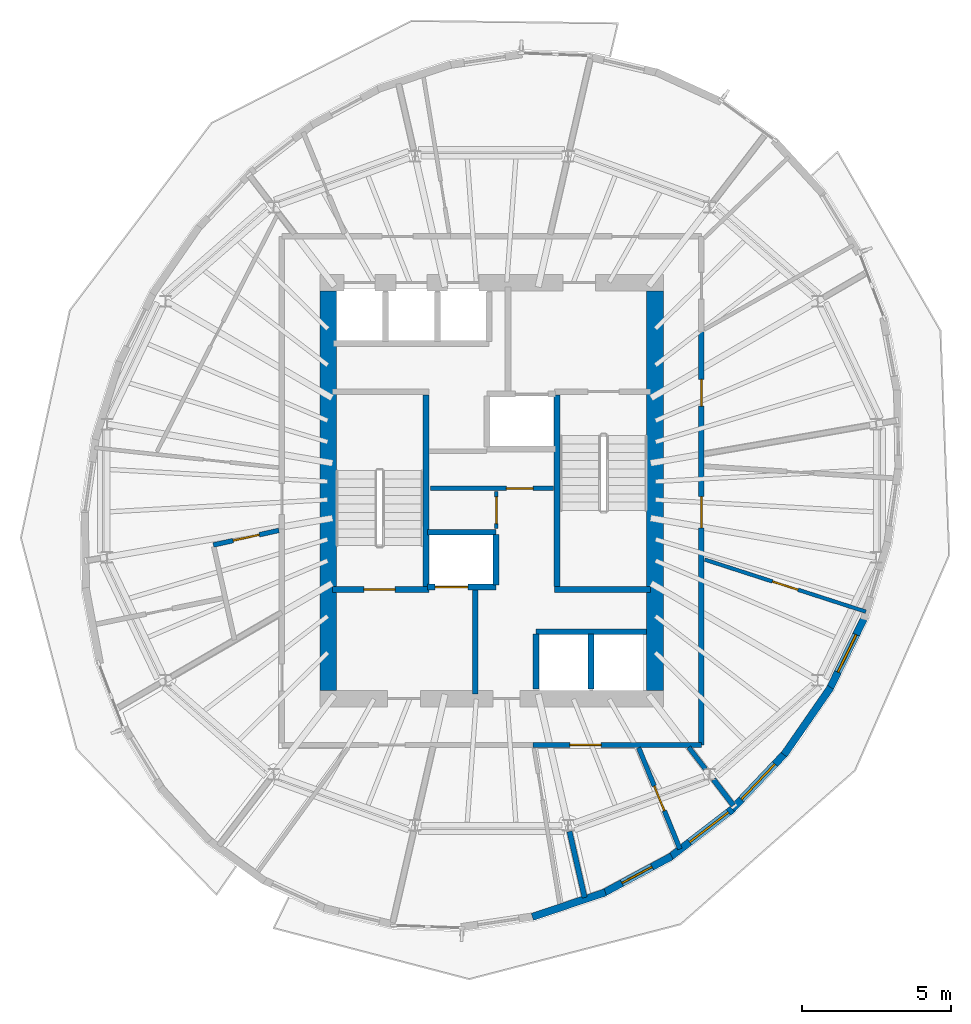
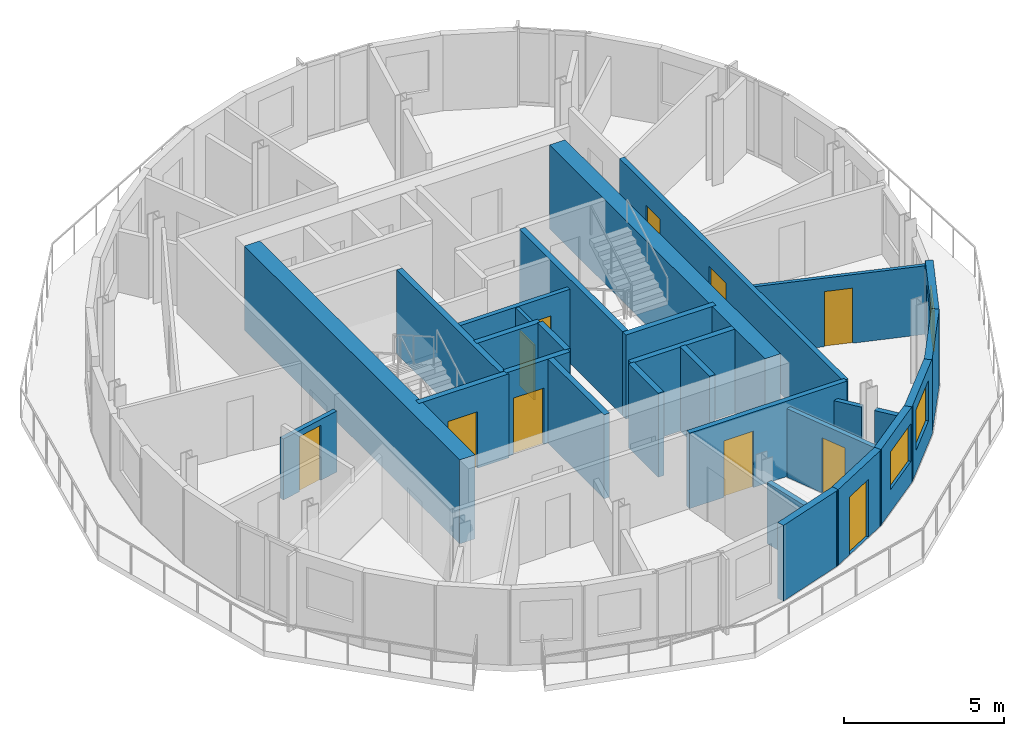
# One storey, part 5 of 11: 29 walls, 11 doors, 3 windows, 14 openings.
"""IFC4 building model written with IfcOpenShell, lengths in metres."""

from ifc_helpers import new_model, si_unit, direction, frame, frame_2d, origin, place, context, subcontext, project, spatial, rectangle, extrude, material, layer, layer_set, type_object, element, fill, save


model = new_model("IFC4")

# Units and contexts
model_context = context("Model", 3, precision=1e-05, world=origin(), true_north=direction((0.0, 1.0)))
body_context = subcontext(model_context, "Body", "Model", "MODEL_VIEW")
ifc_project = project(units=[si_unit("LENGTHUNIT", "METRE"), si_unit("AREAUNIT", "SQUARE_METRE"), si_unit("VOLUMEUNIT", "CUBIC_METRE"), si_unit("PLANEANGLEUNIT", "RADIAN"), si_unit("MASSUNIT", "GRAM", prefix="KILO")], contexts=[model_context])

# Site, building, storey
site_placement = place(None, origin())
site = spatial("IfcSite", under=ifc_project, at=site_placement, CompositionType="ELEMENT")
building_placement = place(site_placement, origin())
building = spatial("IfcBuilding", under=site, at=building_placement, Name="Veldorim Arch Residences", CompositionType="ELEMENT")
storey_placement = place(building_placement, frame((0.0, 0.0, 239.840087890625)))
storey = spatial("IfcBuildingStorey", under=building, at=storey_placement, Name="L72", CompositionType="ELEMENT", Elevation=239.840087890625)

# Wall, opening, door
ifc_material_1 = material(Name="Acoustic Gypsum Board", Category="gypsum")
ifc_layer_1 = layer(ifc_material_1, 0.125, Name="Acoustic Stud Room Partition Wall 125")
ifc_layer_set_1 = layer_set([ifc_layer_1], Name="Acoustic Gypsum Board")
wall_type_1 = type_object("IfcWallType", Name="Acoustic Stud Room Partition Wall 125", PredefinedType="PARTITIONING", material=ifc_layer_set_1)
wall_1_placement = place(storey_placement, frame((32.159912109375, 22.719970703125, 0.0), z_axis=(0.0, 0.0, 1.0), x_axis=(0.0, 1.0, 0.0)))
wall_1 = element("IfcWall", 1, at=wall_1_placement, inside=storey, type_object=wall_type_1, Name="L72 interior wall WL-CA-L72-2", PredefinedType="PARTITIONING", context=body_context, shape_type="SweptSolid", body=[
    extrude(rectangle(XDim=1.25, YDim=0.125, at=frame_2d((0.625, 0.0))), origin(), (0.0, 0.0, 1.0), 2.875),
])
opening_1_placement = place(wall_1_placement, frame((0.169921875, 0.0, 0.0)))
opening_1 = element("IfcOpeningElement", 2, at=opening_1_placement, cuts=wall_1, Name="Opening DR-SVC", PredefinedType="OPENING", context=body_context, shape_type="SweptSolid", body=[
    extrude(rectangle(XDim=0.89990234375, YDim=2.10009765625, at=frame_2d((0.449951171875, 1.050048828125))), frame((0.0, 0.072509765625, 0.0), z_axis=(0.0, -1.0, 0.0), x_axis=(1.0, 0.0, 0.0)), (0.0, 0.0, 1.0), 0.14501953125),
])
ifc_material_2 = material(Name="Fire-Rated Steel", Category="steel")
door_type_1 = type_object("IfcDoorType", Name="Riser, Shelter & Plant Room Rated Steel Door 900x2100", OperationType="SINGLE_SWING_LEFT", PredefinedType="DOOR", material=ifc_material_2)
door_1_placement = place(opening_1_placement, origin())
door_1 = element("IfcDoor", 3, at=door_1_placement, inside=storey, type_object=door_type_1, Name="L72 interior door DR-L72-CA2", OperationType="SINGLE_SWING_RIGHT", OverallHeight=2.10009765625, OverallWidth=0.89990234375, PredefinedType="DOOR", context=body_context, shape_type="SweptSolid", body=[
    extrude(rectangle(XDim=0.89990234375, YDim=2.10009765625, at=frame_2d((0.449951171875, 1.050048828125))), frame((0.0, 0.02490234375, 0.0), z_axis=(0.0, -1.0, 0.0), x_axis=(1.0, 0.0, 0.0)), (0.0, 0.0, 1.0), 0.050048828125),
])
fill(opening_1, door_1)

wall_2_placement = place(storey_placement, frame((44.59765625, 19.926025390625, 0.0), z_axis=(0.0, 0.0, 1.0), x_axis=(-0.951480669713, 0.307708523058, 0.0)))
wall_2 = element("IfcWall", 4, at=wall_2_placement, inside=storey, type_object=wall_type_1, Name="L72 interior wall WL-RES-L72-016", PredefinedType="PARTITIONING", context=body_context, shape_type="SweptSolid", body=[
    extrude(rectangle(XDim=5.699951171875, YDim=0.125, at=frame_2d((2.85009765625, 0.0))), origin(), (0.0, 0.0, 1.0), 2.61181640625),
])
opening_2_placement = place(wall_2_placement, frame((2.39990234375, 0.0, 0.0)))
opening_2 = element("IfcOpeningElement", 5, at=opening_2_placement, cuts=wall_2, Name="Opening DR-INT", PredefinedType="OPENING", context=body_context, shape_type="SweptSolid", body=[
    extrude(rectangle(XDim=0.89990234375, YDim=2.10009765625, at=frame_2d((0.449951171875, 1.050048828125))), frame((0.0, 0.072509765625, 0.0), z_axis=(0.0, -1.0, 0.0), x_axis=(1.0, 0.0, 0.0)), (0.0, 0.0, 1.0), 0.14501953125),
])
ifc_material_3 = material(Name="Engineered Timber", Category="wood")
door_type_2 = type_object("IfcDoorType", Name="Apartment Internal Room Timber Door 900x2100", OperationType="SINGLE_SWING_LEFT", PredefinedType="DOOR", material=ifc_material_3)
door_2_placement = place(opening_2_placement, origin())
door_2 = element("IfcDoor", 6, at=door_2_placement, inside=storey, type_object=door_type_2, Name="L72 interior door DR-RES-L72-008", OperationType="SINGLE_SWING_RIGHT", OverallHeight=2.10009765625, OverallWidth=0.89990234375, PredefinedType="DOOR", context=body_context, shape_type="SweptSolid", body=[
    extrude(rectangle(XDim=0.89990234375, YDim=2.10009765625, at=frame_2d((0.449951171875, 1.050048828125))), frame((0.0, 0.02490234375, 0.0), z_axis=(0.0, -1.0, 0.0), x_axis=(1.0, 0.0, 0.0)), (0.0, 0.0, 1.0), 0.050048828125),
])
fill(opening_2, door_2)

# Walls
ifc_material_4 = material(Name="Lightweight Masonry Block & Gypsum", Category="masonry")
ifc_layer_2 = layer(ifc_material_4, 0.179931640625, Name="Compartment & Corridor Fire-Rated Party Wall 180")
ifc_layer_set_2 = layer_set([ifc_layer_2], Name="Lightweight Masonry Block & Gypsum")
wall_type_2 = type_object("IfcWallType", Name="Compartment & Corridor Fire-Rated Party Wall 180", PredefinedType="PARTITIONING", material=ifc_layer_set_2)
wall_3_placement = place(storey_placement, frame((34.6240234375, 12.526611328125, 0.0), z_axis=(0.0, 0.0, 1.0), x_axis=(0.223007763243, -0.974816668679, 0.0)))
element("IfcWall", 7, at=wall_3_placement, inside=storey, type_object=wall_type_2, Name="L72 interior wall WL-PIER-L72-13", PredefinedType="PARTITIONING", context=body_context, shape_type="SweptSolid", body=[
    extrude(rectangle(XDim=2.282470703125, YDim=0.179931640625, at=frame_2d((1.14111328125, 0.0))), origin(), (0.0, 0.0, 1.0), 2.3232421875),
])
wall_4_placement = place(storey_placement, frame((39.46728515625, 14.280517578125, 0.0), z_axis=(0.0, 0.0, 1.0), x_axis=(0.609209464238, -0.793009349682, 0.0)))
element("IfcWall", 8, at=wall_4_placement, inside=storey, type_object=wall_type_2, Name="L72 interior wall WL-PIER-L72-14", PredefinedType="PARTITIONING", context=body_context, shape_type="SweptSolid", body=[
    extrude(rectangle(XDim=1.1064453125, YDim=0.179931640625, at=frame_2d((0.55322265625, 0.0))), origin(), (0.0, 0.0, 1.0), 2.3232421875),
])

# Wall, opening, door
wall_5_placement = place(storey_placement, frame((39.06005859375, 15.43994140625, 0.0), z_axis=(0.0, 0.0, 1.0), x_axis=(-1.0, 0.0, 0.0)))
wall_5 = element("IfcWall", 9, at=wall_5_placement, inside=storey, type_object=wall_type_2, Name="L72 interior wall WL-RES-L72-003", PredefinedType="PARTITIONING", context=body_context, shape_type="SweptSolid", body=[
    extrude(rectangle(XDim=5.671875, YDim=0.179931640625, at=frame_2d((2.8359375, 0.0))), origin(), (0.0, 0.0, 1.0), 2.875),
])
opening_3_placement = place(wall_5_placement, frame((3.373291015625, 0.0, 0.0)))
opening_3 = element("IfcOpeningElement", 10, at=opening_3_placement, cuts=wall_5, Name="Opening DR-FLT", PredefinedType="OPENING", context=body_context, shape_type="SweptSolid", body=[
    extrude(rectangle(XDim=1.050048828125, YDim=2.14990234375, at=frame_2d((0.52490234375, 1.074951171875))), frame((0.0, 0.099853515625, 0.0), z_axis=(0.0, -1.0, 0.0), x_axis=(1.0, 0.0, 0.0)), (0.0, 0.0, 1.0), 0.199951171875),
])
ifc_material_5 = material(Name="Fire-Rated Timber", Category="wood")
door_type_3 = type_object("IfcDoorType", Name="Apartment Entrance Solid-Core Fire Door 1050x2150", OperationType="SINGLE_SWING_LEFT", PredefinedType="DOOR", material=ifc_material_5)
door_3_placement = place(opening_3_placement, origin())
door_3 = element("IfcDoor", 11, at=door_3_placement, inside=storey, type_object=door_type_3, Name="L72 interior door DR-RES-L72-003", OperationType="SINGLE_SWING_LEFT", OverallHeight=2.14990234375, OverallWidth=1.050048828125, PredefinedType="DOOR", context=body_context, shape_type="SweptSolid", body=[
    extrude(rectangle(XDim=1.050048828125, YDim=2.14990234375, at=frame_2d((0.52490234375, 1.074951171875))), frame((0.0, 0.02490234375, 0.0), z_axis=(0.0, -1.0, 0.0), x_axis=(1.0, 0.0, 0.0)), (0.0, 0.0, 1.0), 0.050048828125),
])
fill(opening_3, door_3)

# Wall, openings, doors
wall_6_placement = place(storey_placement, frame((39.06005859375, 29.390625, 0.0), z_axis=(0.0, 0.0, 1.0), x_axis=(0.0, -1.0, 0.0)))
wall_6 = element("IfcWall", 12, at=wall_6_placement, inside=storey, type_object=wall_type_2, Name="L72 interior wall WL-RES-L72-004", PredefinedType="PARTITIONING", context=body_context, shape_type="SweptSolid", body=[
    extrude(rectangle(XDim=13.95068359375, YDim=0.179931640625, at=frame_2d((6.975341796875, 0.0))), origin(), (0.0, 0.0, 1.0), 2.875),
])
opening_4_placement = place(wall_6_placement, frame((5.593017578125, 0.0, 0.0)))
opening_4 = element("IfcOpeningElement", 13, at=opening_4_placement, cuts=wall_6, Name="Opening DR-FLT", PredefinedType="OPENING", context=body_context, shape_type="SweptSolid", body=[
    extrude(rectangle(XDim=1.050048828125, YDim=2.14990234375, at=frame_2d((0.52490234375, 1.074951171875))), frame((0.0, 0.099853515625, 0.0), z_axis=(0.0, -1.0, 0.0), x_axis=(1.0, 0.0, 0.0)), (0.0, 0.0, 1.0), 0.199951171875),
])
opening_5_placement = place(wall_6_placement, frame((1.644775390625, 0.0, 0.0)))
opening_5 = element("IfcOpeningElement", 14, at=opening_5_placement, cuts=wall_6, Name="Opening DR-INT", PredefinedType="OPENING", context=body_context, shape_type="SweptSolid", body=[
    extrude(rectangle(XDim=0.89990234375, YDim=2.10009765625, at=frame_2d((0.449951171875, 1.050048828125))), frame((0.0, 0.099853515625, 0.0), z_axis=(0.0, -1.0, 0.0), x_axis=(1.0, 0.0, 0.0)), (0.0, 0.0, 1.0), 0.199951171875),
])
door_4_placement = place(opening_4_placement, origin())
door_4 = element("IfcDoor", 15, at=door_4_placement, inside=storey, type_object=door_type_3, Name="L72 interior door DR-RES-L72-006", OperationType="SINGLE_SWING_RIGHT", OverallHeight=2.14990234375, OverallWidth=1.050048828125, PredefinedType="DOOR", context=body_context, shape_type="SweptSolid", body=[
    extrude(rectangle(XDim=1.050048828125, YDim=2.14990234375, at=frame_2d((0.52490234375, 1.074951171875))), frame((0.0, 0.02490234375, 0.0), z_axis=(0.0, -1.0, 0.0), x_axis=(1.0, 0.0, 0.0)), (0.0, 0.0, 1.0), 0.050048828125),
])
fill(opening_4, door_4)
door_5_placement = place(opening_5_placement, origin())
door_5 = element("IfcDoor", 16, at=door_5_placement, inside=storey, type_object=door_type_2, Name="L72 interior door DR-RES-L72-011", OperationType="SINGLE_SWING_LEFT", OverallHeight=2.10009765625, OverallWidth=0.89990234375, PredefinedType="DOOR", context=body_context, shape_type="SweptSolid", body=[
    extrude(rectangle(XDim=0.89990234375, YDim=2.10009765625, at=frame_2d((0.449951171875, 1.050048828125))), frame((0.0, 0.02490234375, 0.0), z_axis=(0.0, -1.0, 0.0), x_axis=(1.0, 0.0, 0.0)), (0.0, 0.0, 1.0), 0.050048828125),
])
fill(opening_5, door_5)

# Wall
ifc_material_6 = material(Name="Concrete C50/60", Category="concrete")
ifc_layer_3 = layer(ifc_material_6, 0.199951171875, Name="Core Stair & Lift Shaft Enclosure Wall 200")
ifc_layer_set_3 = layer_set([ifc_layer_3], Name="Concrete C50/60")
wall_type_3 = type_object("IfcWallType", Name="Core Stair & Lift Shaft Enclosure Wall 200", PredefinedType="SHEAR", material=ifc_layer_set_3)
wall_7_placement = place(storey_placement, frame((29.7900390625, 20.780029296875, 0.0), z_axis=(0.0, 0.0, 1.0), x_axis=(0.0, 1.0, 0.0)))
element("IfcWall", 17, at=wall_7_placement, inside=storey, type_object=wall_type_3, Name="L72 shaft wall WL-SHF-L72-ST1-E", PredefinedType="SHEAR", context=body_context, shape_type="SweptSolid", body=[
    extrude(rectangle(XDim=6.43994140625, YDim=0.199951171875, at=frame_2d((3.219970703125, 0.0))), origin(), (0.0, 0.0, 1.0), 3.199951171875),
])

# Wall, opening, door
wall_8_placement = place(storey_placement, frame((26.64990234375, 20.669921875, 0.0), z_axis=(0.0, 0.0, 1.0), x_axis=(1.0, 0.0, 0.0)))
wall_8 = element("IfcWall", 18, at=wall_8_placement, inside=storey, type_object=wall_type_3, Name="L72 shaft wall WL-SHF-L72-ST1-S", PredefinedType="SHEAR", context=body_context, shape_type="SweptSolid", body=[
    extrude(rectangle(XDim=3.239990234375, YDim=0.199951171875, at=frame_2d((1.6201171875, 0.0))), origin(), (0.0, 0.0, 1.0), 3.199951171875),
])
opening_6_placement = place(wall_8_placement, frame((1.054931640625, 0.0, 0.0)))
opening_6 = element("IfcOpeningElement", 19, at=opening_6_placement, cuts=wall_8, Name="Opening DR-ST", PredefinedType="OPENING", context=body_context, shape_type="SweptSolid", body=[
    extrude(rectangle(XDim=1.050048828125, YDim=2.14990234375, at=frame_2d((0.52490234375, 1.074951171875))), frame((0.0, 0.10986328125, 0.0), z_axis=(0.0, -1.0, 0.0), x_axis=(1.0, 0.0, 0.0)), (0.0, 0.0, 1.0), 0.219970703125),
])
ifc_material_7 = material(Name="Fire-Rated Steel", Category="steel")
door_type_4 = type_object("IfcDoorType", Name="Exit Staircase Self-Closing Fire Door 1050x2150", OperationType="SINGLE_SWING_LEFT", PredefinedType="DOOR", material=ifc_material_7)
door_6_placement = place(opening_6_placement, origin())
door_6 = element("IfcDoor", 20, at=door_6_placement, inside=storey, type_object=door_type_4, Name="L72 interior door DR-L72-ST1", OperationType="SINGLE_SWING_LEFT", OverallHeight=2.14990234375, OverallWidth=1.050048828125, PredefinedType="DOOR", context=body_context, shape_type="SweptSolid", body=[
    extrude(rectangle(XDim=1.050048828125, YDim=2.14990234375, at=frame_2d((0.52490234375, 1.074951171875))), frame((0.0, 0.02490234375, 0.0), z_axis=(0.0, -1.0, 0.0), x_axis=(1.0, 0.0, 0.0)), (0.0, 0.0, 1.0), 0.050048828125),
])
fill(opening_6, door_6)

# Walls
wall_9_placement = place(storey_placement, frame((34.2099609375, 20.780029296875, 0.0), z_axis=(0.0, 0.0, 1.0), x_axis=(0.0, 1.0, 0.0)))
element("IfcWall", 21, at=wall_9_placement, inside=storey, type_object=wall_type_3, Name="L72 shaft wall WL-SHF-L72-ST2-W", PredefinedType="SHEAR", context=body_context, shape_type="SweptSolid", body=[
    extrude(rectangle(XDim=6.43994140625, YDim=0.199951171875, at=frame_2d((3.219970703125, 0.0))), origin(), (0.0, 0.0, 1.0), 3.199951171875),
])
wall_10_placement = place(storey_placement, frame((34.110107421875, 20.669921875, 0.0), z_axis=(0.0, 0.0, 1.0), x_axis=(1.0, 0.0, 0.0)))
element("IfcWall", 22, at=wall_10_placement, inside=storey, type_object=wall_type_3, Name="L72 shaft wall WL-SHF-L72-ST2-S", PredefinedType="SHEAR", context=body_context, shape_type="SweptSolid", body=[
    extrude(rectangle(XDim=3.239990234375, YDim=0.199951171875, at=frame_2d((1.6201171875, 0.0))), origin(), (0.0, 0.0, 1.0), 3.199951171875),
])
wall_11_placement = place(storey_placement, frame((31.449951171875, 17.14990234375, 0.0), z_axis=(0.0, 0.0, 1.0), x_axis=(0.0, 1.0, 0.0)))
element("IfcWall", 23, at=wall_11_placement, inside=storey, type_object=wall_type_3, Name="L72 shaft wall WL-FFL1-L72-E", PredefinedType="SHEAR", context=body_context, shape_type="SweptSolid", body=[
    extrude(rectangle(XDim=3.5, YDim=0.199951171875, at=frame_2d((1.75, 0.0))), origin(), (0.0, 0.0, 1.0), 3.199951171875),
])

# Wall, opening, door
wall_12_placement = place(storey_placement, frame((29.85009765625, 20.75, 0.0), z_axis=(0.0, 0.0, 1.0), x_axis=(1.0, 0.0, 0.0)))
wall_12 = element("IfcWall", 24, at=wall_12_placement, inside=storey, type_object=wall_type_3, Name="L72 shaft wall WL-FL01-L72-S", PredefinedType="SHEAR", context=body_context, shape_type="SweptSolid", body=[
    extrude(rectangle(XDim=2.2998046875, YDim=0.199951171875, at=frame_2d((1.14990234375, 0.0))), origin(), (0.0, 0.0, 1.0), 3.199951171875),
])
opening_7_placement = place(wall_12_placement, frame((0.25, 0.0, 0.0)))
opening_7 = element("IfcOpeningElement", 25, at=opening_7_placement, cuts=wall_12, Name="Opening LD-FF", PredefinedType="OPENING", context=body_context, shape_type="SweptSolid", body=[
    extrude(rectangle(XDim=1.10009765625, YDim=2.14990234375, at=frame_2d((0.550048828125, 1.074951171875))), frame((0.0, 0.10986328125, 0.0), z_axis=(0.0, -1.0, 0.0), x_axis=(1.0, 0.0, 0.0)), (0.0, 0.0, 1.0), 0.219970703125),
])
ifc_material_8 = material(Name="Stainless Steel", Category="steel")
door_type_5 = type_object("IfcDoorType", Name="Firefighting Lift Bi-Parting Sliding Landing Door 1100x2150", OperationType="DOUBLE_DOOR_SLIDING", PredefinedType="DOOR", material=ifc_material_8)
door_7_placement = place(opening_7_placement, origin())
door_7 = element("IfcDoor", 26, at=door_7_placement, inside=storey, type_object=door_type_5, Name="L72 lift landing door LD-L72-FL01", OperationType="DOUBLE_DOOR_SLIDING", OverallHeight=2.14990234375, OverallWidth=1.10009765625, PredefinedType="DOOR", context=body_context, shape_type="SweptSolid", body=[
    extrude(rectangle(XDim=1.10009765625, YDim=2.14990234375, at=frame_2d((0.550048828125, 1.074951171875))), frame((0.0, 0.02490234375, 0.0), z_axis=(0.0, -1.0, 0.0), x_axis=(1.0, 0.0, 0.0)), (0.0, 0.0, 1.0), 0.050048828125),
])
fill(opening_7, door_7)

# Walls
wall_13_placement = place(storey_placement, frame((29.85009765625, 22.60009765625, 0.0), z_axis=(0.0, 0.0, 1.0), x_axis=(1.0, 0.0, 0.0)))
element("IfcWall", 27, at=wall_13_placement, inside=storey, type_object=wall_type_3, Name="L72 shaft wall WL-FL01-L72-N", PredefinedType="SHEAR", context=body_context, shape_type="SweptSolid", body=[
    extrude(rectangle(XDim=2.2998046875, YDim=0.199951171875, at=frame_2d((1.14990234375, 0.0))), origin(), (0.0, 0.0, 1.0), 3.199951171875),
])
wall_14_placement = place(storey_placement, frame((32.14990234375, 20.820068359375, 0.0), z_axis=(0.0, 0.0, 1.0), x_axis=(0.0, 1.0, 0.0)))
element("IfcWall", 28, at=wall_14_placement, inside=storey, type_object=wall_type_3, Name="L72 shaft wall WL-FL01-L72-E", PredefinedType="SHEAR", context=body_context, shape_type="SweptSolid", body=[
    extrude(rectangle(XDim=1.7099609375, YDim=0.199951171875, at=frame_2d((0.85498046875, 0.0))), origin(), (0.0, 0.0, 1.0), 3.199951171875),
])
wall_15_placement = place(storey_placement, frame((33.5, 19.25, 0.0), z_axis=(0.0, 0.0, 1.0), x_axis=(1.0, 0.0, 0.0)))
element("IfcWall", 29, at=wall_15_placement, inside=storey, type_object=wall_type_3, Name="L72 shaft wall WL-OL-L72-N", PredefinedType="SHEAR", context=body_context, shape_type="SweptSolid", body=[
    extrude(rectangle(XDim=3.719970703125, YDim=0.199951171875, at=frame_2d((1.85986328125, 0.0))), origin(), (0.0, 0.0, 1.0), 3.199951171875),
])
for number, where, z_axis, x_axis, name in (
    (30, (33.5, 17.320068359375, 0.0), (0.0, 0.0, 1.0), (0.0, 1.0, 0.0), "L72 shaft wall WL-OL-L72-W"),
    (31, (35.35009765625, 17.320068359375, 0.0), (0.0, 0.0, 1.0), (0.0, 1.0, 0.0), "L72 shaft wall WL-OL-L72-D1"),
):
    element("IfcWall", number, at=place(storey_placement, frame(where, z_axis=z_axis, x_axis=x_axis)), inside=storey, type_object=wall_type_3, Name=name, PredefinedType="SHEAR", context=body_context, shape_type="SweptSolid", body=[
        extrude(rectangle(XDim=1.85986328125, YDim=0.199951171875, at=frame_2d((0.929931640625, 0.0))), origin(), (0.0, 0.0, 1.0), 3.199951171875),
    ])
ifc_material_9 = material(Name="Precast concrete C40/50", Category="concrete")
ifc_layer_4 = layer(ifc_material_9, 0.25, Name="Tower Terracotta Spandrel & Pier Wall 250")
ifc_layer_set_4 = layer_set([ifc_layer_4], Name="Precast concrete C40/50")
wall_type_4 = type_object("IfcWallType", Name="Tower Terracotta Spandrel & Pier Wall 250", PredefinedType="SOLIDWALL", material=ifc_layer_set_4)
wall_16_placement = place(storey_placement, frame((35.829833984375, 10.478515625, 0.0), z_axis=(0.0, 0.0, 1.0), x_axis=(-0.947566090698, -0.319559859431, 0.0)))
element("IfcWall", 32, at=wall_16_placement, inside=storey, type_object=wall_type_4, Name="L72 terracotta facade wall 23", PredefinedType="SOLIDWALL", context=body_context, shape_type="SweptSolid", body=[
    extrude(rectangle(XDim=2.59228515625, YDim=0.25, at=frame_2d((1.296142578125, 0.0))), origin(), (0.0, 0.0, 1.0), 2.8798828125),
])

# Wall, opening, door
wall_17_placement = place(storey_placement, frame((38.062255859375, 11.69140625, 0.0), z_axis=(0.0, 0.0, 1.0), x_axis=(-0.880420823352, -0.47419318195, 0.0)))
wall_17 = element("IfcWall", 33, at=wall_17_placement, inside=storey, type_object=wall_type_4, Name="L72 terracotta facade wall 24", PredefinedType="SOLIDWALL", context=body_context, shape_type="SweptSolid", body=[
    extrude(rectangle(XDim=2.65087890625, YDim=0.25, at=frame_2d((1.325439453125, 0.0))), origin(), (0.0, 0.0, 1.0), 2.8798828125),
])
opening_8_placement = place(wall_17_placement, frame((0.7509765625, 0.0, 0.0)))
opening_8 = element("IfcOpeningElement", 34, at=opening_8_placement, cuts=wall_17, Name="Opening BL-DR", PredefinedType="OPENING", context=body_context, shape_type="SweptSolid", body=[
    extrude(rectangle(XDim=1.14990234375, YDim=2.199951171875, at=frame_2d((0.574951171875, 1.10009765625))), frame((0.0, 0.135009765625, 0.0), z_axis=(0.0, -1.0, 0.0), x_axis=(1.0, 0.0, 0.0)), (0.0, 0.0, 1.0), 0.27001953125),
])
ifc_material_10 = material(Name="Aluminium & Low-E Glass", Category="aluminium")
door_type_6 = type_object("IfcDoorType", Name="Glazed Planted Balcony Door 1150x2200", OperationType="SINGLE_SWING_LEFT", PredefinedType="DOOR", material=ifc_material_10)
door_8_placement = place(opening_8_placement, origin())
door_8 = element("IfcDoor", 35, at=door_8_placement, inside=storey, type_object=door_type_6, Name="L72 glazed outdoor terrace door BALC-2", OperationType="SINGLE_SWING_RIGHT", OverallHeight=2.199951171875, OverallWidth=1.14990234375, PredefinedType="DOOR", context=body_context, shape_type="SweptSolid", body=[
    extrude(rectangle(XDim=1.14990234375, YDim=2.199951171875, at=frame_2d((0.574951171875, 1.10009765625))), frame((0.0, 0.02490234375, 0.0), z_axis=(0.0, -1.0, 0.0), x_axis=(1.0, 0.0, 0.0)), (0.0, 0.0, 1.0), 0.050048828125),
])
fill(opening_8, door_8)

# Wall, opening, window
wall_18_placement = place(storey_placement, frame((40.111328125, 13.279052734375, 0.0), z_axis=(0.0, 0.0, 1.0), x_axis=(-0.792543354822, -0.609815571076, 0.0)))
wall_18 = element("IfcWall", 36, at=wall_18_placement, inside=storey, type_object=wall_type_4, Name="L72 terracotta facade wall 25", PredefinedType="SOLIDWALL", context=body_context, shape_type="SweptSolid", body=[
    extrude(rectangle(XDim=2.70166015625, YDim=0.25, at=frame_2d((1.350830078125, 0.0))), origin(), (0.0, 0.0, 1.0), 2.8798828125),
])
opening_9_placement = place(wall_18_placement, frame((0.175048828125, 0.0, 0.85009765625)))
opening_9 = element("IfcOpeningElement", 37, at=opening_9_placement, cuts=wall_18, Name="Opening WN-03", PredefinedType="OPENING", context=body_context, shape_type="SweptSolid", body=[
    extrude(rectangle(XDim=1.64990234375, YDim=1.43994140625, at=frame_2d((0.824951171875, 0.719970703125))), frame((0.0, 0.135009765625, 0.0), z_axis=(0.0, -1.0, 0.0), x_axis=(1.0, 0.0, 0.0)), (0.0, 0.0, 1.0), 0.27001953125),
])
ifc_material_11 = material(Name="Laminated Low-E Glass", Category="glass")
window_type_1 = type_object("IfcWindowType", Name="Residential Wide Window 1650x1550", PartitioningType="SINGLE_PANEL", PredefinedType="WINDOW", material=ifc_material_11)
window_1_placement = place(opening_9_placement, origin())
window_1 = element("IfcWindow", 38, at=window_1_placement, inside=storey, type_object=window_type_1, Name="L72 solar-control facade window 25", OverallHeight=1.43994140625, OverallWidth=1.64990234375, PartitioningType="SINGLE_PANEL", PredefinedType="WINDOW", context=body_context, shape_type="SweptSolid", body=[
    extrude(rectangle(XDim=1.64990234375, YDim=1.43994140625, at=frame_2d((0.824951171875, 0.719970703125))), frame((0.0, 0.030029296875, 0.0), z_axis=(0.0, -1.0, 0.0), x_axis=(1.0, 0.0, 0.0)), (0.0, 0.0, 1.0), 0.06005859375),
])
fill(opening_9, window_1)

wall_19_placement = place(storey_placement, frame((41.91455078125, 15.193115234375, 0.0), z_axis=(0.0, 0.0, 1.0), x_axis=(-0.688046261031, -0.725666826223, 0.0)))
wall_19 = element("IfcWall", 39, at=wall_19_placement, inside=storey, type_object=wall_type_4, Name="L72 terracotta facade wall 26", PredefinedType="SOLIDWALL", context=body_context, shape_type="SweptSolid", body=[
    extrude(rectangle(XDim=2.738525390625, YDim=0.25, at=frame_2d((1.369140625, 0.0))), origin(), (0.0, 0.0, 1.0), 2.8798828125),
])
opening_10_placement = place(wall_19_placement, frame((0.5439453125, 0.0, 0.85009765625)))
opening_10 = element("IfcOpeningElement", 40, at=opening_10_placement, cuts=wall_19, Name="Opening WN-03", PredefinedType="OPENING", context=body_context, shape_type="SweptSolid", body=[
    extrude(rectangle(XDim=1.64990234375, YDim=1.550048828125, at=frame_2d((0.824951171875, 0.77490234375))), frame((0.0, 0.135009765625, 0.0), z_axis=(0.0, -1.0, 0.0), x_axis=(1.0, 0.0, 0.0)), (0.0, 0.0, 1.0), 0.27001953125),
])
window_2_placement = place(opening_10_placement, origin())
window_2 = element("IfcWindow", 41, at=window_2_placement, inside=storey, type_object=window_type_1, Name="L72 solar-control facade window 26", OverallHeight=1.550048828125, OverallWidth=1.64990234375, PartitioningType="SINGLE_PANEL", PredefinedType="WINDOW", context=body_context, shape_type="SweptSolid", body=[
    extrude(rectangle(XDim=1.64990234375, YDim=1.550048828125, at=frame_2d((0.824951171875, 0.77490234375))), frame((0.0, 0.030029296875, 0.0), z_axis=(0.0, -1.0, 0.0), x_axis=(1.0, 0.0, 0.0)), (0.0, 0.0, 1.0), 0.06005859375),
])
fill(opening_10, window_2)

# Wall
wall_20_placement = place(storey_placement, frame((43.416259765625, 17.3759765625, 0.0), z_axis=(0.0, 0.0, 1.0), x_axis=(-0.569421689582, -0.822045582333, 0.0)))
element("IfcWall", 42, at=wall_20_placement, inside=storey, type_object=wall_type_4, Name="L72 terracotta facade wall 27", PredefinedType="SOLIDWALL", context=body_context, shape_type="SweptSolid", body=[
    extrude(rectangle(XDim=2.758056640625, YDim=0.25, at=frame_2d((1.37890625, 0.0))), origin(), (0.0, 0.0, 1.0), 2.8798828125),
])

# Wall, opening, window
wall_21_placement = place(storey_placement, frame((44.57080078125, 19.7607421875, 0.0), z_axis=(0.0, 0.0, 1.0), x_axis=(-0.438517804861, -0.898722501565, 0.0)))
wall_21 = element("IfcWall", 43, at=wall_21_placement, inside=storey, type_object=wall_type_4, Name="L72 terracotta facade wall 28", PredefinedType="SOLIDWALL", context=body_context, shape_type="SweptSolid", body=[
    extrude(rectangle(XDim=2.758056640625, YDim=0.25, at=frame_2d((1.37890625, 0.0))), origin(), (0.0, 0.0, 1.0), 2.8798828125),
])
opening_11_placement = place(wall_21_placement, frame((0.678955078125, 0.0, 0.85009765625)))
opening_11 = element("IfcOpeningElement", 44, at=opening_11_placement, cuts=wall_21, Name="Opening WN-02", PredefinedType="OPENING", context=body_context, shape_type="SweptSolid", body=[
    extrude(rectangle(XDim=1.39990234375, YDim=1.550048828125, at=frame_2d((0.699951171875, 0.77490234375))), frame((0.0, 0.135009765625, 0.0), z_axis=(0.0, -1.0, 0.0), x_axis=(1.0, 0.0, 0.0)), (0.0, 0.0, 1.0), 0.27001953125),
])
ifc_material_12 = material(Name="Laminated Low-E Glass", Category="glass")
window_type_2 = type_object("IfcWindowType", Name="Residential Casement Window 1400x1550", PartitioningType="SINGLE_PANEL", PredefinedType="WINDOW", material=ifc_material_12)
window_3_placement = place(opening_11_placement, origin())
window_3 = element("IfcWindow", 45, at=window_3_placement, inside=storey, type_object=window_type_2, Name="L72 solar-control facade window 28", OverallHeight=1.550048828125, OverallWidth=1.39990234375, PartitioningType="SINGLE_PANEL", PredefinedType="WINDOW", context=body_context, shape_type="SweptSolid", body=[
    extrude(rectangle(XDim=1.39990234375, YDim=1.550048828125, at=frame_2d((0.699951171875, 0.77490234375))), frame((0.0, 0.030029296875, 0.0), z_axis=(0.0, -1.0, 0.0), x_axis=(1.0, 0.0, 0.0)), (0.0, 0.0, 1.0), 0.06005859375),
])
fill(opening_11, window_3)

# Walls
ifc_material_13 = material(Name="Concrete C50/60", Category="concrete")
ifc_layer_5 = layer(ifc_material_13, 0.5, Name="Upper Central Core Shear Wall 560")
ifc_layer_set_5 = layer_set([ifc_layer_5], Name="Concrete C50/60")
wall_type_5 = type_object("IfcWallType", Name="Upper Central Core Shear Wall 560", PredefinedType="SHEAR", material=ifc_layer_set_5)
for number, where, z_axis, x_axis, name in (
    (46, (26.5, 17.280029296875, 0.0), (0.0, 0.0, 1.0), (0.0, 1.0, 0.0), "L72 central core west shear wall"),
    (47, (37.5, 17.280029296875, 0.0), (0.0, 0.0, 1.0), (0.0, 1.0, 0.0), "L72 central core east shear wall"),
):
    element("IfcWall", number, at=place(storey_placement, frame(where, z_axis=z_axis, x_axis=x_axis)), inside=storey, type_object=wall_type_5, Name=name, PredefinedType="SHEAR", context=body_context, shape_type="SweptSolid", body=[
        extrude(rectangle(XDim=13.43994140625, YDim=0.56005859375, at=frame_2d((6.719970703125, 0.0))), origin(), (0.0, 0.0, 1.0), 3.199951171875),
    ])

# Wall, opening, door
ifc_material_14 = material(Name="Moisture-Resistant Gypsum & Stud", Category="gypsum")
ifc_layer_6 = layer(ifc_material_14, 0.159912109375, Name="Wet-Area Moisture-Resistant Plumbing Wall 160")
ifc_layer_set_6 = layer_set([ifc_layer_6], Name="Moisture-Resistant Gypsum & Stud")
wall_type_6 = type_object("IfcWallType", Name="Wet-Area Moisture-Resistant Plumbing Wall 160", PredefinedType="PLUMBINGWALL", material=ifc_layer_set_6)
wall_22_placement = place(storey_placement, frame((29.949951171875, 24.080078125, 0.0), z_axis=(0.0, 0.0, 1.0), x_axis=(1.0, 0.0, 0.0)))
wall_22 = element("IfcWall", 48, at=wall_22_placement, inside=storey, type_object=wall_type_6, Name="L72 interior wall WL-CA-L72-1", PredefinedType="PLUMBINGWALL", context=body_context, shape_type="SweptSolid", body=[
    extrude(rectangle(XDim=4.130126953125, YDim=0.159912109375, at=frame_2d((2.06494140625, 0.0))), origin(), (0.0, 0.0, 1.0), 2.875),
])
opening_12_placement = place(wall_22_placement, frame((2.550048828125, 0.0, 0.0)))
opening_12 = element("IfcOpeningElement", 49, at=opening_12_placement, cuts=wall_22, Name="Opening DR-WC", PredefinedType="OPENING", context=body_context, shape_type="SweptSolid", body=[
    extrude(rectangle(XDim=0.89990234375, YDim=2.10009765625, at=frame_2d((0.449951171875, 1.050048828125))), frame((0.0, 0.08984375, 0.0), z_axis=(0.0, -1.0, 0.0), x_axis=(1.0, 0.0, 0.0)), (0.0, 0.0, 1.0), 0.179931640625),
])
ifc_material_15 = material(Name="Laminate Timber", Category="wood")
door_type_7 = type_object("IfcDoorType", Name="Bathroom & Accessible WC Moisture-Sealed Door 900x2100", OperationType="SINGLE_SWING_LEFT", PredefinedType="DOOR", material=ifc_material_15)
door_9_placement = place(opening_12_placement, origin())
door_9 = element("IfcDoor", 50, at=door_9_placement, inside=storey, type_object=door_type_7, Name="L72 interior door DR-L72-CA1", OperationType="SINGLE_SWING_LEFT", OverallHeight=2.10009765625, OverallWidth=0.89990234375, PredefinedType="DOOR", context=body_context, shape_type="SweptSolid", body=[
    extrude(rectangle(XDim=0.89990234375, YDim=2.10009765625, at=frame_2d((0.449951171875, 1.050048828125))), frame((0.0, 0.02490234375, 0.0), z_axis=(0.0, -1.0, 0.0), x_axis=(1.0, 0.0, 0.0)), (0.0, 0.0, 1.0), 0.050048828125),
])
fill(opening_12, door_9)

wall_23_placement = place(storey_placement, frame((36.951171875, 15.347412109375, 0.0), z_axis=(0.0, 0.0, 1.0), x_axis=(0.377313729351, -0.92608549802, 0.0)))
wall_23 = element("IfcWall", 51, at=wall_23_placement, inside=storey, type_object=wall_type_6, Name="L72 interior wall WL-RES-L72-012", PredefinedType="PLUMBINGWALL", context=body_context, shape_type="SweptSolid", body=[
    extrude(rectangle(XDim=3.68359375, YDim=0.159912109375, at=frame_2d((1.841796875, 0.0))), origin(), (0.0, 0.0, 1.0), 2.61181640625),
])
opening_13_placement = place(wall_23_placement, frame((1.391845703125, 0.0, 0.0)))
opening_13 = element("IfcOpeningElement", 52, at=opening_13_placement, cuts=wall_23, Name="Opening DR-WC", PredefinedType="OPENING", context=body_context, shape_type="SweptSolid", body=[
    extrude(rectangle(XDim=0.89990234375, YDim=2.10009765625, at=frame_2d((0.449951171875, 1.050048828125))), frame((0.0, 0.08984375, 0.0), z_axis=(0.0, -1.0, 0.0), x_axis=(1.0, 0.0, 0.0)), (0.0, 0.0, 1.0), 0.179931640625),
])
door_10_placement = place(opening_13_placement, origin())
door_10 = element("IfcDoor", 53, at=door_10_placement, inside=storey, type_object=door_type_7, Name="L72 interior door DR-RES-L72-004", OperationType="SINGLE_SWING_RIGHT", OverallHeight=2.10009765625, OverallWidth=0.89990234375, PredefinedType="DOOR", context=body_context, shape_type="SweptSolid", body=[
    extrude(rectangle(XDim=0.89990234375, YDim=2.10009765625, at=frame_2d((0.449951171875, 1.050048828125))), frame((0.0, 0.02490234375, 0.0), z_axis=(0.0, -1.0, 0.0), x_axis=(1.0, 0.0, 0.0)), (0.0, 0.0, 1.0), 0.050048828125),
])
fill(opening_13, door_10)

# Wall
wall_24_placement = place(storey_placement, frame((38.637451171875, 15.360595703125, 0.0), z_axis=(0.0, 0.0, 1.0), x_axis=(0.609314315131, -0.7929287896, 0.0)))
element("IfcWall", 54, at=wall_24_placement, inside=storey, type_object=wall_type_6, Name="L72 interior wall WL-RES-L72-014", PredefinedType="PLUMBINGWALL", context=body_context, shape_type="SweptSolid", body=[
    extrude(rectangle(XDim=0.9228515625, YDim=0.159912109375, at=frame_2d((0.46142578125, 0.0))), origin(), (0.0, 0.0, 1.0), 2.3232421875),
])

# Wall, opening, door
wall_25_placement = place(storey_placement, frame((24.84228515625, 22.6630859375, 0.0), z_axis=(0.0, 0.0, 1.0), x_axis=(-0.976008847289, -0.21773086601, 0.0)))
wall_25 = element("IfcWall", 55, at=wall_25_placement, inside=storey, type_object=wall_type_6, Name="L72 interior wall WL-RES-L72-026", PredefinedType="PLUMBINGWALL", context=body_context, shape_type="SweptSolid", body=[
    extrude(rectangle(XDim=2.260498046875, YDim=0.159912109375, at=frame_2d((1.13037109375, 0.0))), origin(), (0.0, 0.0, 1.0), 2.3232421875),
])
opening_14_placement = place(wall_25_placement, frame((0.680419921875, 0.0, 0.0)))
opening_14 = element("IfcOpeningElement", 56, at=opening_14_placement, cuts=wall_25, Name="Opening DR-INT", PredefinedType="OPENING", context=body_context, shape_type="SweptSolid", body=[
    extrude(rectangle(XDim=0.89990234375, YDim=2.10009765625, at=frame_2d((0.449951171875, 1.050048828125))), frame((0.0, 0.08984375, 0.0), z_axis=(0.0, -1.0, 0.0), x_axis=(1.0, 0.0, 0.0)), (0.0, 0.0, 1.0), 0.179931640625),
])
door_11_placement = place(opening_14_placement, origin())
door_11 = element("IfcDoor", 57, at=door_11_placement, inside=storey, type_object=door_type_2, Name="L72 interior door DR-RES-L72-019", OperationType="SINGLE_SWING_LEFT", OverallHeight=2.10009765625, OverallWidth=0.89990234375, PredefinedType="DOOR", context=body_context, shape_type="SweptSolid", body=[
    extrude(rectangle(XDim=0.89990234375, YDim=2.10009765625, at=frame_2d((0.449951171875, 1.050048828125))), frame((0.0, 0.02490234375, 0.0), z_axis=(0.0, -1.0, 0.0), x_axis=(1.0, 0.0, 0.0)), (0.0, 0.0, 1.0), 0.050048828125),
])
fill(opening_14, door_11)

save(model, "model.ifc")
